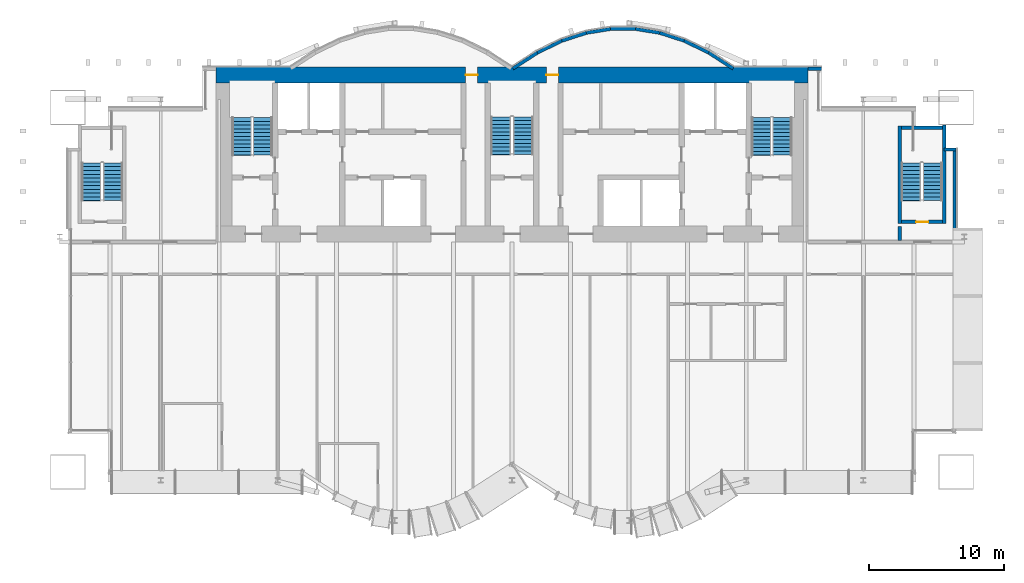
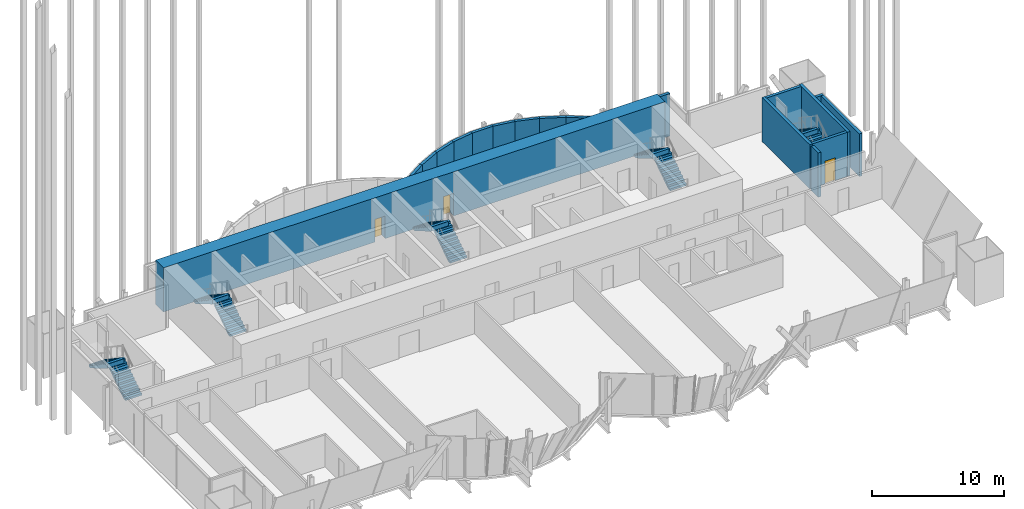
# One storey, part 26 of 29: 18 walls, 10 stair flights, 3 doors, 3 openings, 5 elements without a shape of their own.
"""IFC4 building model written with IfcOpenShell, lengths in metres."""

from ifc_helpers import new_model, si_unit, direction, frame, frame_2d, origin, place, context, subcontext, project, spatial, polyline, rectangle, outline, extrude, material, layer, layer_set, layer_usage, type_object, element, fill, aggregate, save


model = new_model("IFC4")

# Units and contexts
model_context = context("Model", 3, precision=1e-05, world=origin(), true_north=direction((0.0, 1.0)))
body_context = subcontext(model_context, "Body", "Model", "MODEL_VIEW")
ifc_project = project(units=[si_unit("LENGTHUNIT", "METRE"), si_unit("AREAUNIT", "SQUARE_METRE"), si_unit("VOLUMEUNIT", "CUBIC_METRE"), si_unit("PLANEANGLEUNIT", "RADIAN"), si_unit("MASSUNIT", "GRAM", prefix="KILO")], contexts=[model_context])

# Site, building, storey
site_placement = place(None, origin())
site = spatial("IfcSite", under=ifc_project, at=site_placement, CompositionType="ELEMENT")
building_placement = place(site_placement, origin())
building = spatial("IfcBuilding", under=site, at=building_placement, Name="Bicima Exchange Tower", CompositionType="ELEMENT")
storey_placement = place(building_placement, frame((0.0, 0.0, 190.89990234375)))
storey = spatial("IfcBuildingStorey", under=building, at=storey_placement, Name="L42", CompositionType="ELEMENT", Elevation=190.89990234375)

# Wall, openings, doors
ifc_material_1 = material(Name="Concrete C50/60", Category="concrete")
ifc_layer_1 = layer(ifc_material_1, 1.199951171875)
ifc_layer_set_1 = layer_set([ifc_layer_1], Name="Concrete C50/60")
wall_type_1 = type_object("IfcWallType", Name="RC core wall 1200 C50/60", PredefinedType="SHEAR", material=ifc_layer_set_1)
wall_1_placement = place(storey_placement, frame((-22.0, -0.60009765625, 0.0), z_axis=(0.0, 0.0, 1.0), x_axis=(1.0, 0.0, 0.0)))
wall_1 = element("IfcWall", 1, at=wall_1_placement, inside=storey, type_object=wall_type_1, Name="Core wall north", PredefinedType="SHEAR", context=body_context, shape_type="SweptSolid", body=[
    extrude(rectangle(XDim=44.0, YDim=1.199951171875, at=frame_2d((22.0, 0.0))), origin(), (0.0, 0.0, 1.0), 4.10009765625),
])
opening_1_placement = place(wall_1_placement, frame((18.550048828125, 0.0, 0.0)))
opening_1 = element("IfcOpeningElement", 2, at=opening_1_placement, cuts=wall_1, Name="Opening L42-C17", PredefinedType="OPENING", context=body_context, shape_type="SweptSolid", body=[
    extrude(rectangle(XDim=0.89990234375, YDim=2.10009765625, at=frame_2d((0.449951171875, 1.050048828125))), frame((0.0, 0.61181640625, 0.0), z_axis=(0.0, -1.0, 0.0), x_axis=(1.0, 0.0, 0.0)), (0.0, 0.0, 1.0), 1.223876953125),
])
opening_2_placement = place(wall_1_placement, frame((24.550048828125, 0.0, 0.0)))
opening_2 = element("IfcOpeningElement", 3, at=opening_2_placement, cuts=wall_1, Name="Opening L42-C18", PredefinedType="OPENING", context=body_context, shape_type="SweptSolid", body=[
    extrude(rectangle(XDim=0.89990234375, YDim=2.10009765625, at=frame_2d((0.449951171875, 1.050048828125))), frame((0.0, 0.61181640625, 0.0), z_axis=(0.0, -1.0, 0.0), x_axis=(1.0, 0.0, 0.0)), (0.0, 0.0, 1.0), 1.223876953125),
])
ifc_material_2 = material(Name="Steel fire door leaf", Category="steel")
door_type_1 = type_object("IfcDoorType", Name="Door 900 swing FD30S", OperationType="SINGLE_SWING_LEFT", PredefinedType="DOOR", material=ifc_material_2)
door_1_placement = place(opening_1_placement, origin())
door_1 = element("IfcDoor", 4, at=door_1_placement, inside=storey, type_object=door_type_1, Name="Core door", OperationType="SINGLE_SWING_LEFT", OverallHeight=2.10009765625, OverallWidth=0.89990234375, PredefinedType="DOOR", context=body_context, shape_type="SweptSolid", body=[
    extrude(rectangle(XDim=0.89990234375, YDim=2.10009765625, at=frame_2d((0.449951171875, 1.050048828125))), frame((0.0, 0.02490234375, 0.0), z_axis=(0.0, -1.0, 0.0), x_axis=(1.0, 0.0, 0.0)), (0.0, 0.0, 1.0), 0.050048828125),
])
fill(opening_1, door_1)
door_2_placement = place(opening_2_placement, origin())
door_2 = element("IfcDoor", 5, at=door_2_placement, inside=storey, type_object=door_type_1, Name="Core door", OperationType="SINGLE_SWING_LEFT", OverallHeight=2.10009765625, OverallWidth=0.89990234375, PredefinedType="DOOR", context=body_context, shape_type="SweptSolid", body=[
    extrude(rectangle(XDim=0.89990234375, YDim=2.10009765625, at=frame_2d((0.449951171875, 1.050048828125))), frame((0.0, 0.02490234375, 0.0), z_axis=(0.0, -1.0, 0.0), x_axis=(1.0, 0.0, 0.0)), (0.0, 0.0, 1.0), 0.050048828125),
])
fill(opening_2, door_2)

# Walls
ifc_layer_2 = layer(ifc_material_1, 0.25)
ifc_layer_set_2 = layer_set([ifc_layer_2], Name="Concrete C50/60")
wall_type_2 = type_object("IfcWallType", Name="RC core wall 250 C50/60", PredefinedType="SHEAR", material=ifc_layer_set_2)
wall_2_placement = place(storey_placement, frame((28.800048828125, -12.89990234375, 0.0), z_axis=(0.0, 0.0, 1.0), x_axis=(0.0, 1.0, 0.0)))
element("IfcWall", 6, at=wall_2_placement, inside=storey, type_object=wall_type_2, Name="stair wall 32", PredefinedType="SHEAR", context=body_context, shape_type="SweptSolid", body=[
    extrude(rectangle(XDim=1.0498046875, YDim=0.25, at=frame_2d((0.52490234375, 0.0))), origin(), (0.0, 0.0, 1.0), 4.10009765625),
])
ifc_layer_3 = layer(ifc_material_1, 0.25)
ifc_layer_set_3 = layer_set([ifc_layer_3], Name="Concrete C50/60")
wall_type_3 = type_object("IfcWallType", Name="RC stair enclosure wall 250 C50/60", PredefinedType="SHEAR", material=ifc_layer_set_3)
wall_3_placement = place(storey_placement, frame((28.800048828125, -11.625, 0.0), z_axis=(0.0, 0.0, 1.0), x_axis=(0.0, 1.0, 0.0)))
element("IfcWall", 7, at=wall_3_placement, inside=storey, type_object=wall_type_3, Name="East end exit stair wall W", PredefinedType="SHEAR", context=body_context, shape_type="SweptSolid", body=[
    extrude(rectangle(XDim=7.25, YDim=0.25, at=frame_2d((3.625, 0.0))), origin(), (0.0, 0.0, 1.0), 4.10009765625),
])
wall_4_placement = place(storey_placement, frame((32.10009765625, -11.625, 0.0), z_axis=(0.0, 0.0, 1.0), x_axis=(0.0, 1.0, 0.0)))
element("IfcWall", 8, at=wall_4_placement, inside=storey, type_object=wall_type_3, Name="East end exit stair wall E", PredefinedType="SHEAR", context=body_context, shape_type="SweptSolid", body=[
    extrude(rectangle(XDim=7.324951171875, YDim=0.25, at=frame_2d((3.66259765625, 0.0))), origin(), (0.0, 0.0, 1.0), 4.10009765625),
])

# Wall, opening, door
wall_5_placement = place(storey_placement, frame((28.925048828125, -11.5, 0.0), z_axis=(0.0, 0.0, 1.0), x_axis=(1.0, 0.0, 0.0)))
wall_5 = element("IfcWall", 9, at=wall_5_placement, inside=storey, type_object=wall_type_3, Name="East end exit stair wall S", PredefinedType="SHEAR", context=body_context, shape_type="SweptSolid", body=[
    extrude(rectangle(XDim=3.050048828125, YDim=0.25, at=frame_2d((1.52490234375, 0.0))), origin(), (0.0, 0.0, 1.0), 4.10009765625),
])
opening_3_placement = place(wall_5_placement, frame((1.10009765625, 0.0, 0.0)))
opening_3 = element("IfcOpeningElement", 10, at=opening_3_placement, cuts=wall_5, Name="Opening L42-004", PredefinedType="OPENING", context=body_context, shape_type="SweptSolid", body=[
    extrude(rectangle(XDim=0.89990234375, YDim=2.10009765625, at=frame_2d((0.449951171875, 1.050048828125))), frame((0.0, 0.136962890625, 0.0), z_axis=(0.0, -1.0, 0.0), x_axis=(1.0, 0.0, 0.0)), (0.0, 0.0, 1.0), 0.27392578125),
])
door_type_2 = type_object("IfcDoorType", Name="Door 900 swing FD60S", OperationType="SINGLE_SWING_LEFT", PredefinedType="DOOR", material=ifc_material_2)
door_3_placement = place(opening_3_placement, origin())
door_3 = element("IfcDoor", 11, at=door_3_placement, inside=storey, type_object=door_type_2, Name="Door", OperationType="SINGLE_SWING_LEFT", OverallHeight=2.10009765625, OverallWidth=0.89990234375, PredefinedType="DOOR", context=body_context, shape_type="SweptSolid", body=[
    extrude(rectangle(XDim=0.89990234375, YDim=2.10009765625, at=frame_2d((0.449951171875, 1.050048828125))), frame((0.0, 0.02490234375, 0.0), z_axis=(0.0, -1.0, 0.0), x_axis=(1.0, 0.0, 0.0)), (0.0, 0.0, 1.0), 0.050048828125),
])
fill(opening_3, door_3)

# Walls
wall_6_placement = place(storey_placement, frame((28.925048828125, -4.5, 0.0), z_axis=(0.0, 0.0, 1.0), x_axis=(1.0, 0.0, 0.0)))
element("IfcWall", 12, at=wall_6_placement, inside=storey, type_object=wall_type_3, Name="East end exit stair wall N", PredefinedType="SHEAR", context=body_context, shape_type="SweptSolid", body=[
    extrude(rectangle(XDim=3.050048828125, YDim=0.25, at=frame_2d((1.52490234375, 0.0))), origin(), (0.0, 0.0, 1.0), 4.10009765625),
])
ifc_material_3 = material(Name="Concrete C40/50", Category="concrete")
ifc_layer_4 = layer(ifc_material_3, 0.25)
ifc_layer_set_4 = layer_set([ifc_layer_4], Name="Concrete C40/50")
ifc_layer_usage = layer_usage(ifc_layer_set_4, "AXIS2", "POSITIVE", -0.125)
wall_type_4 = type_object("IfcWallType", Name="Rear backup wall 250", PredefinedType="STANDARD", material=ifc_layer_set_4)
wall_7_placement = place(storey_placement, frame((32.875, -12.090087890625, 0.0), z_axis=(0.0, 0.0, 1.0), x_axis=(0.0, 1.0, 0.0)))
element("IfcWall", 13, at=wall_7_placement, inside=storey, type_object=wall_type_4, material=ifc_layer_usage, Name="Rear backup wall L42 2", PredefinedType="STANDARD", context=body_context, shape_type="SweptSolid", body=[
    extrude(rectangle(XDim=6.090087890625, YDim=0.25, at=frame_2d((3.044921875, 0.0))), origin(), (0.0, 0.0, 1.0), 3.9501953125),
])
wall_8_placement = place(storey_placement, frame((33.0, -6.125, 0.0), z_axis=(0.0, 0.0, 1.0), x_axis=(-1.0, 0.0, 0.0)))
element("IfcWall", 14, at=wall_8_placement, inside=storey, type_object=wall_type_4, material=ifc_layer_usage, Name="Rear backup wall L42 3", PredefinedType="STANDARD", context=body_context, shape_type="SweptSolid", body=[
    extrude(rectangle(XDim=0.889892578125, YDim=0.25, at=frame_2d((0.44482421875, 0.0))), origin(), (0.0, 0.0, 1.0), 3.9501953125),
])
wall_9_placement = place(storey_placement, frame((23.0, -0.125, 0.0), z_axis=(0.0, 0.0, 1.0), x_axis=(-1.0, 0.0, 0.0)))
element("IfcWall", 15, at=wall_9_placement, inside=storey, type_object=wall_type_4, material=ifc_layer_usage, Name="Rear backup wall L42 7", PredefinedType="STANDARD", context=body_context, shape_type="SweptSolid", body=[
    extrude(rectangle(XDim=1.0, YDim=0.25, at=frame_2d((0.5, 0.0))), origin(), (0.0, 0.0, 1.0), 3.9501953125),
])
wall_10_placement = place(storey_placement, frame((16.43212890625, -0.10498046875, 0.0), z_axis=(0.0, 0.0, 1.0), x_axis=(-0.83981312244, 0.542875602121, 0.0)))
element("IfcWall", 16, at=wall_10_placement, inside=storey, type_object=wall_type_4, material=ifc_layer_usage, Name="Rear backup wall L42 8", PredefinedType="STANDARD", context=body_context, shape_type="SweptSolid", body=[
    extrude(rectangle(XDim=2.182861328125, YDim=0.25, at=frame_2d((1.09130859375, 0.0))), origin(), (0.0, 0.0, 1.0), 3.9501953125),
])
wall_11_placement = place(storey_placement, frame((14.6123046875, 1.07275390625, 0.0), z_axis=(0.0, 0.0, 1.0), x_axis=(-0.89982408427, 0.436252928206, 0.0)))
element("IfcWall", 17, at=wall_11_placement, inside=storey, type_object=wall_type_4, material=ifc_layer_usage, Name="Rear backup wall L42 9", PredefinedType="STANDARD", context=body_context, shape_type="SweptSolid", body=[
    extrude(rectangle(XDim=2.03759765625, YDim=0.25, at=frame_2d((1.018798828125, 0.0))), origin(), (0.0, 0.0, 1.0), 3.9501953125),
])
wall_12_placement = place(storey_placement, frame((12.794921875, 1.955078125, 0.0), z_axis=(0.0, 0.0, 1.0), x_axis=(-0.951495806175, 0.307661714928, 0.0)))
element("IfcWall", 18, at=wall_12_placement, inside=storey, type_object=wall_type_4, material=ifc_layer_usage, Name="Rear backup wall L42 10", PredefinedType="STANDARD", context=body_context, shape_type="SweptSolid", body=[
    extrude(rectangle(XDim=1.9267578125, YDim=0.25, at=frame_2d((0.96337890625, 0.0))), origin(), (0.0, 0.0, 1.0), 3.9501953125),
])
wall_13_placement = place(storey_placement, frame((10.97998046875, 2.543212890625, 0.0), z_axis=(0.0, 0.0, 1.0), x_axis=(-0.987181718931, 0.159600293885, 0.0)))
element("IfcWall", 19, at=wall_13_placement, inside=storey, type_object=wall_type_4, material=ifc_layer_usage, Name="Rear backup wall L42 11", PredefinedType="STANDARD", context=body_context, shape_type="SweptSolid", body=[
    extrude(rectangle(XDim=1.857177734375, YDim=0.25, at=frame_2d((0.9287109375, 0.0))), origin(), (0.0, 0.0, 1.0), 3.9501953125),
])
wall_14_placement = place(storey_placement, frame((9.166748046875, 2.837890625, 0.0), z_axis=(0.0, 0.0, 1.0), x_axis=(-1.0, 0.0, 0.0)))
element("IfcWall", 20, at=wall_14_placement, inside=storey, type_object=wall_type_4, material=ifc_layer_usage, Name="Rear backup wall L42 12", PredefinedType="STANDARD", context=body_context, shape_type="SweptSolid", body=[
    extrude(rectangle(XDim=1.83349609375, YDim=0.25, at=frame_2d((0.916748046875, 0.0))), origin(), (0.0, 0.0, 1.0), 3.9501953125),
])
wall_15_placement = place(storey_placement, frame((7.353271484375, 2.839599609375, 0.0), z_axis=(0.0, 0.0, 1.0), x_axis=(-0.987181718931, -0.159600293885, 0.0)))
element("IfcWall", 21, at=wall_15_placement, inside=storey, type_object=wall_type_4, material=ifc_layer_usage, Name="Rear backup wall L42 13", PredefinedType="STANDARD", context=body_context, shape_type="SweptSolid", body=[
    extrude(rectangle(XDim=1.857177734375, YDim=0.25, at=frame_2d((0.9287109375, 0.0))), origin(), (0.0, 0.0, 1.0), 3.9501953125),
])
wall_16_placement = place(storey_placement, frame((5.538330078125, 2.5478515625, 0.0), z_axis=(0.0, 0.0, 1.0), x_axis=(-0.951495806175, -0.307661714928, 0.0)))
element("IfcWall", 22, at=wall_16_placement, inside=storey, type_object=wall_type_4, material=ifc_layer_usage, Name="Rear backup wall L42 14", PredefinedType="STANDARD", context=body_context, shape_type="SweptSolid", body=[
    extrude(rectangle(XDim=1.9267578125, YDim=0.25, at=frame_2d((0.96337890625, 0.0))), origin(), (0.0, 0.0, 1.0), 3.9501953125),
])
wall_17_placement = place(storey_placement, frame((3.72119140625, 1.961669921875, 0.0), z_axis=(0.0, 0.0, 1.0), x_axis=(-0.89982408427, -0.436252928206, 0.0)))
element("IfcWall", 23, at=wall_17_placement, inside=storey, type_object=wall_type_4, material=ifc_layer_usage, Name="Rear backup wall L42 15", PredefinedType="STANDARD", context=body_context, shape_type="SweptSolid", body=[
    extrude(rectangle(XDim=2.03759765625, YDim=0.25, at=frame_2d((1.018798828125, 0.0))), origin(), (0.0, 0.0, 1.0), 3.9501953125),
])
wall_18_placement = place(storey_placement, frame((1.901123046875, 1.080078125, 0.0), z_axis=(0.0, 0.0, 1.0), x_axis=(-0.83981312244, -0.542875602121, 0.0)))
element("IfcWall", 24, at=wall_18_placement, inside=storey, type_object=wall_type_4, material=ifc_layer_usage, Name="Rear backup wall L42 16", PredefinedType="STANDARD", context=body_context, shape_type="SweptSolid", body=[
    extrude(rectangle(XDim=2.182861328125, YDim=0.25, at=frame_2d((1.09130859375, 0.0))), origin(), (0.0, 0.0, 1.0), 3.9501953125),
])

# Stair, stair flights
stair_type_1 = type_object("IfcStairType", Name="Exit stair", PredefinedType="HALF_TURN_STAIR", material=ifc_material_1)
stair_1_placement = place(storey_placement, origin())
stair_1 = element("IfcStair", 25, at=stair_1_placement, inside=storey, type_object=stair_type_1, Name="L42 West exit stair", PredefinedType="HALF_TURN_STAIR")
stair_flight_type_1 = type_object("IfcStairFlightType", Name="Stair flight RC", PredefinedType="STRAIGHT", material=ifc_material_1)
stair_flight_1_placement = place(storey_placement, frame((-18.52490234375, -6.550048828125, 0.0), z_axis=(0.0, 0.0, 1.0), x_axis=(0.0, 1.0, 0.0)))
stair_flight_1 = element("IfcStairFlight", 26, at=stair_flight_1_placement, type_object=stair_flight_type_1, Name="ST-W flight 1", NumberOfRisers=11, NumberOfTreads=10, PredefinedType="STRAIGHT", RiserHeight=0.186363636, TreadLength=0.28, context=body_context, shape_type="SweptSolid", body=[
    extrude(outline(polyline([(0.0, 0.0), (0.0, 0.186279296875), (0.280029296875, 0.186279296875), (0.280029296875, 0.372802734375), (0.56005859375, 0.372802734375), (0.56005859375, 0.55908203125), (0.840087890625, 0.55908203125), (0.840087890625, 0.745361328125), (1.1201171875, 0.745361328125), (1.1201171875, 0.931884765625), (1.39990234375, 0.931884765625), (1.39990234375, 1.1181640625), (1.679931640625, 1.1181640625), (1.679931640625, 1.304443359375), (1.9599609375, 1.304443359375), (1.9599609375, 1.490966796875), (2.239990234375, 1.490966796875), (2.239990234375, 1.67724609375), (2.52001953125, 1.67724609375), (2.52001953125, 1.863525390625), (2.800048828125, 1.863525390625), (2.800048828125, 2.050048828125), (2.800048828125, 1.68359375), (0.2705078125, 0.0), (0.0, 0.0)])), frame((0.0, 0.72509765625, 0.0), z_axis=(0.0, -1.0, 0.0), x_axis=(1.0, 0.0, 0.0)), (0.0, 0.0, 1.0), 1.449951171875),
])
stair_flight_2_placement = place(storey_placement, frame((-20.074951171875, -3.75, 2.050048828125), z_axis=(0.0, 0.0, 1.0), x_axis=(0.0, -1.0, 0.0)))
stair_flight_2 = element("IfcStairFlight", 27, at=stair_flight_2_placement, type_object=stair_flight_type_1, Name="ST-W flight 2", NumberOfRisers=11, NumberOfTreads=10, PredefinedType="STRAIGHT", RiserHeight=0.186363636, TreadLength=0.28, context=body_context, shape_type="SweptSolid", body=[
    extrude(outline(polyline([(0.0, 0.0), (0.0, 0.186279296875), (0.280029296875, 0.186279296875), (0.280029296875, 0.372802734375), (0.56005859375, 0.372802734375), (0.56005859375, 0.55908203125), (0.840087890625, 0.55908203125), (0.840087890625, 0.745361328125), (1.1201171875, 0.745361328125), (1.1201171875, 0.931884765625), (1.39990234375, 0.931884765625), (1.39990234375, 1.1181640625), (1.679931640625, 1.1181640625), (1.679931640625, 1.304443359375), (1.9599609375, 1.304443359375), (1.9599609375, 1.490966796875), (2.239990234375, 1.490966796875), (2.239990234375, 1.67724609375), (2.52001953125, 1.67724609375), (2.52001953125, 1.863525390625), (2.800048828125, 1.863525390625), (2.800048828125, 1.904052734375), (2.81494140625, 1.904052734375), (2.81494140625, 1.507080078125), (0.2705078125, 0.0), (0.0, 0.0)])), frame((0.0, 0.72509765625, 0.0), z_axis=(0.0, -1.0, 0.0), x_axis=(1.0, 0.0, 0.0)), (0.0, 0.0, 1.0), 1.449951171875),
])
aggregate(stair_1, [stair_flight_1, stair_flight_2])

stair_2_placement = place(storey_placement, origin())
stair_2 = element("IfcStair", 28, at=stair_2_placement, inside=storey, type_object=stair_type_1, Name="L42 East exit stair", PredefinedType="HALF_TURN_STAIR")
stair_flight_3_placement = place(storey_placement, frame((20.074951171875, -6.550048828125, 0.0), z_axis=(0.0, 0.0, 1.0), x_axis=(0.0, 1.0, 0.0)))
stair_flight_3 = element("IfcStairFlight", 29, at=stair_flight_3_placement, type_object=stair_flight_type_1, Name="ST-E flight 1", NumberOfRisers=11, NumberOfTreads=10, PredefinedType="STRAIGHT", RiserHeight=0.186363636, TreadLength=0.28, context=body_context, shape_type="SweptSolid", body=[
    extrude(outline(polyline([(0.0, 0.0), (0.0, 0.186279296875), (0.280029296875, 0.186279296875), (0.280029296875, 0.372802734375), (0.56005859375, 0.372802734375), (0.56005859375, 0.55908203125), (0.840087890625, 0.55908203125), (0.840087890625, 0.745361328125), (1.1201171875, 0.745361328125), (1.1201171875, 0.931884765625), (1.39990234375, 0.931884765625), (1.39990234375, 1.1181640625), (1.679931640625, 1.1181640625), (1.679931640625, 1.304443359375), (1.9599609375, 1.304443359375), (1.9599609375, 1.490966796875), (2.239990234375, 1.490966796875), (2.239990234375, 1.67724609375), (2.52001953125, 1.67724609375), (2.52001953125, 1.863525390625), (2.800048828125, 1.863525390625), (2.800048828125, 2.050048828125), (2.800048828125, 1.68359375), (0.2705078125, 0.0), (0.0, 0.0)])), frame((0.0, 0.72509765625, 0.0), z_axis=(0.0, -1.0, 0.0), x_axis=(1.0, 0.0, 0.0)), (0.0, 0.0, 1.0), 1.449951171875),
])
stair_flight_4_placement = place(storey_placement, frame((18.52490234375, -3.75, 2.050048828125), z_axis=(0.0, 0.0, 1.0), x_axis=(0.0, -1.0, 0.0)))
stair_flight_4 = element("IfcStairFlight", 30, at=stair_flight_4_placement, type_object=stair_flight_type_1, Name="ST-E flight 2", NumberOfRisers=11, NumberOfTreads=10, PredefinedType="STRAIGHT", RiserHeight=0.186363636, TreadLength=0.28, context=body_context, shape_type="SweptSolid", body=[
    extrude(outline(polyline([(0.0, 0.0), (0.0, 0.186279296875), (0.280029296875, 0.186279296875), (0.280029296875, 0.372802734375), (0.56005859375, 0.372802734375), (0.56005859375, 0.55908203125), (0.840087890625, 0.55908203125), (0.840087890625, 0.745361328125), (1.1201171875, 0.745361328125), (1.1201171875, 0.931884765625), (1.39990234375, 0.931884765625), (1.39990234375, 1.1181640625), (1.679931640625, 1.1181640625), (1.679931640625, 1.304443359375), (1.9599609375, 1.304443359375), (1.9599609375, 1.490966796875), (2.239990234375, 1.490966796875), (2.239990234375, 1.67724609375), (2.52001953125, 1.67724609375), (2.52001953125, 1.863525390625), (2.800048828125, 1.863525390625), (2.800048828125, 1.904052734375), (2.81494140625, 1.904052734375), (2.81494140625, 1.507080078125), (0.2705078125, 0.0), (0.0, 0.0)])), frame((0.0, 0.72509765625, 0.0), z_axis=(0.0, -1.0, 0.0), x_axis=(1.0, 0.0, 0.0)), (0.0, 0.0, 1.0), 1.449951171875),
])
aggregate(stair_2, [stair_flight_3, stair_flight_4])

stair_3_placement = place(storey_placement, origin())
stair_3 = element("IfcStair", 31, at=stair_3_placement, inside=storey, type_object=stair_type_1, Name="L42 West end exit stair", PredefinedType="HALF_TURN_STAIR")
stair_flight_5_placement = place(storey_placement, frame((-29.64990234375, -9.925048828125, 0.0), z_axis=(0.0, 0.0, 1.0), x_axis=(0.0, 1.0, 0.0)))
stair_flight_5 = element("IfcStairFlight", 32, at=stair_flight_5_placement, type_object=stair_flight_type_1, Name="ST-WW flight 1", NumberOfRisers=11, NumberOfTreads=10, PredefinedType="STRAIGHT", RiserHeight=0.186363636, TreadLength=0.28, context=body_context, shape_type="SweptSolid", body=[
    extrude(outline(polyline([(0.0, 0.0), (0.0, 0.186279296875), (0.280029296875, 0.186279296875), (0.280029296875, 0.372802734375), (0.56005859375, 0.372802734375), (0.56005859375, 0.55908203125), (0.840087890625, 0.55908203125), (0.840087890625, 0.745361328125), (1.1201171875, 0.745361328125), (1.1201171875, 0.931884765625), (1.39990234375, 0.931884765625), (1.39990234375, 1.1181640625), (1.679931640625, 1.1181640625), (1.679931640625, 1.304443359375), (1.9599609375, 1.304443359375), (1.9599609375, 1.490966796875), (2.239990234375, 1.490966796875), (2.239990234375, 1.67724609375), (2.52001953125, 1.67724609375), (2.52001953125, 1.863525390625), (2.800048828125, 1.863525390625), (2.800048828125, 2.050048828125), (2.800048828125, 1.68359375), (0.2705078125, 0.0), (0.0, 0.0)])), frame((0.0, 0.72509765625, 0.0), z_axis=(0.0, -1.0, 0.0), x_axis=(1.0, 0.0, 0.0)), (0.0, 0.0, 1.0), 1.449951171875),
])
stair_flight_6_placement = place(storey_placement, frame((-31.25, -7.125, 2.050048828125), z_axis=(0.0, 0.0, 1.0), x_axis=(0.0, -1.0, 0.0)))
stair_flight_6 = element("IfcStairFlight", 33, at=stair_flight_6_placement, type_object=stair_flight_type_1, Name="ST-WW flight 2", NumberOfRisers=11, NumberOfTreads=10, PredefinedType="STRAIGHT", RiserHeight=0.186363636, TreadLength=0.28, context=body_context, shape_type="SweptSolid", body=[
    extrude(outline(polyline([(0.0, 0.0), (0.0, 0.186279296875), (0.280029296875, 0.186279296875), (0.280029296875, 0.372802734375), (0.56005859375, 0.372802734375), (0.56005859375, 0.55908203125), (0.840087890625, 0.55908203125), (0.840087890625, 0.745361328125), (1.1201171875, 0.745361328125), (1.1201171875, 0.931884765625), (1.39990234375, 0.931884765625), (1.39990234375, 1.1181640625), (1.679931640625, 1.1181640625), (1.679931640625, 1.304443359375), (1.9599609375, 1.304443359375), (1.9599609375, 1.490966796875), (2.239990234375, 1.490966796875), (2.239990234375, 1.67724609375), (2.52001953125, 1.67724609375), (2.52001953125, 1.863525390625), (2.800048828125, 1.863525390625), (2.800048828125, 1.904052734375), (2.81494140625, 1.904052734375), (2.81494140625, 1.507080078125), (0.2705078125, 0.0), (0.0, 0.0)])), frame((0.0, 0.72509765625, 0.0), z_axis=(0.0, -1.0, 0.0), x_axis=(1.0, 0.0, 0.0)), (0.0, 0.0, 1.0), 1.449951171875),
])
aggregate(stair_3, [stair_flight_5, stair_flight_6])

stair_4_placement = place(storey_placement, origin())
stair_4 = element("IfcStair", 34, at=stair_4_placement, inside=storey, type_object=stair_type_1, Name="L42 East end exit stair", PredefinedType="HALF_TURN_STAIR")
stair_flight_7_placement = place(storey_placement, frame((31.25, -9.925048828125, 0.0), z_axis=(0.0, 0.0, 1.0), x_axis=(0.0, 1.0, 0.0)))
stair_flight_7 = element("IfcStairFlight", 35, at=stair_flight_7_placement, type_object=stair_flight_type_1, Name="ST-EE flight 1", NumberOfRisers=11, NumberOfTreads=10, PredefinedType="STRAIGHT", RiserHeight=0.186363636, TreadLength=0.28, context=body_context, shape_type="SweptSolid", body=[
    extrude(outline(polyline([(0.0, 0.0), (0.0, 0.186279296875), (0.280029296875, 0.186279296875), (0.280029296875, 0.372802734375), (0.56005859375, 0.372802734375), (0.56005859375, 0.55908203125), (0.840087890625, 0.55908203125), (0.840087890625, 0.745361328125), (1.1201171875, 0.745361328125), (1.1201171875, 0.931884765625), (1.39990234375, 0.931884765625), (1.39990234375, 1.1181640625), (1.679931640625, 1.1181640625), (1.679931640625, 1.304443359375), (1.9599609375, 1.304443359375), (1.9599609375, 1.490966796875), (2.239990234375, 1.490966796875), (2.239990234375, 1.67724609375), (2.52001953125, 1.67724609375), (2.52001953125, 1.863525390625), (2.800048828125, 1.863525390625), (2.800048828125, 2.050048828125), (2.800048828125, 1.68359375), (0.2705078125, 0.0), (0.0, 0.0)])), frame((0.0, 0.72509765625, 0.0), z_axis=(0.0, -1.0, 0.0), x_axis=(1.0, 0.0, 0.0)), (0.0, 0.0, 1.0), 1.449951171875),
])
stair_flight_8_placement = place(storey_placement, frame((29.64990234375, -7.125, 2.050048828125), z_axis=(0.0, 0.0, 1.0), x_axis=(0.0, -1.0, 0.0)))
stair_flight_8 = element("IfcStairFlight", 36, at=stair_flight_8_placement, type_object=stair_flight_type_1, Name="ST-EE flight 2", NumberOfRisers=11, NumberOfTreads=10, PredefinedType="STRAIGHT", RiserHeight=0.186363636, TreadLength=0.28, context=body_context, shape_type="SweptSolid", body=[
    extrude(outline(polyline([(0.0, 0.0), (0.0, 0.186279296875), (0.280029296875, 0.186279296875), (0.280029296875, 0.372802734375), (0.56005859375, 0.372802734375), (0.56005859375, 0.55908203125), (0.840087890625, 0.55908203125), (0.840087890625, 0.745361328125), (1.1201171875, 0.745361328125), (1.1201171875, 0.931884765625), (1.39990234375, 0.931884765625), (1.39990234375, 1.1181640625), (1.679931640625, 1.1181640625), (1.679931640625, 1.304443359375), (1.9599609375, 1.304443359375), (1.9599609375, 1.490966796875), (2.239990234375, 1.490966796875), (2.239990234375, 1.67724609375), (2.52001953125, 1.67724609375), (2.52001953125, 1.863525390625), (2.800048828125, 1.863525390625), (2.800048828125, 1.904052734375), (2.81494140625, 1.904052734375), (2.81494140625, 1.507080078125), (0.2705078125, 0.0), (0.0, 0.0)])), frame((0.0, 0.72509765625, 0.0), z_axis=(0.0, -1.0, 0.0), x_axis=(1.0, 0.0, 0.0)), (0.0, 0.0, 1.0), 1.449951171875),
])
aggregate(stair_4, [stair_flight_7, stair_flight_8])

stair_type_2 = type_object("IfcStairType", Name="Exit stair 1500", PredefinedType="HALF_TURN_STAIR", material=ifc_material_1)
stair_5_placement = place(storey_placement, origin())
stair_5 = element("IfcStair", 37, at=stair_5_placement, inside=storey, type_object=stair_type_2, Name="L42 Central exit stair", PredefinedType="HALF_TURN_STAIR")
stair_flight_type_2 = type_object("IfcStairFlightType", Name="Stair flight RC 1500", PredefinedType="STRAIGHT", material=ifc_material_1)
stair_flight_9_placement = place(storey_placement, frame((0.824951171875, -6.5, 0.0), z_axis=(0.0, 0.0, 1.0), x_axis=(0.0, 1.0, 0.0)))
stair_flight_9 = element("IfcStairFlight", 38, at=stair_flight_9_placement, type_object=stair_flight_type_2, Name="ST-C flight 1", NumberOfRisers=11, NumberOfTreads=10, PredefinedType="STRAIGHT", RiserHeight=0.186363636, TreadLength=0.28, context=body_context, shape_type="SweptSolid", body=[
    extrude(outline(polyline([(0.0, 0.0), (0.0, 0.186279296875), (0.280029296875, 0.186279296875), (0.280029296875, 0.372802734375), (0.56005859375, 0.372802734375), (0.56005859375, 0.55908203125), (0.840087890625, 0.55908203125), (0.840087890625, 0.745361328125), (1.1201171875, 0.745361328125), (1.1201171875, 0.931884765625), (1.39990234375, 0.931884765625), (1.39990234375, 1.1181640625), (1.679931640625, 1.1181640625), (1.679931640625, 1.304443359375), (1.9599609375, 1.304443359375), (1.9599609375, 1.490966796875), (2.239990234375, 1.490966796875), (2.239990234375, 1.67724609375), (2.52001953125, 1.67724609375), (2.52001953125, 1.863525390625), (2.800048828125, 1.863525390625), (2.800048828125, 2.050048828125), (2.800048828125, 1.68359375), (0.2705078125, 0.0), (0.0, 0.0)])), frame((0.0, 0.75, 0.0), z_axis=(0.0, -1.0, 0.0), x_axis=(1.0, 0.0, 0.0)), (0.0, 0.0, 1.0), 1.5),
])
stair_flight_10_placement = place(storey_placement, frame((-0.824951171875, -3.699951171875, 2.050048828125), z_axis=(0.0, 0.0, 1.0), x_axis=(0.0, -1.0, 0.0)))
stair_flight_10 = element("IfcStairFlight", 39, at=stair_flight_10_placement, type_object=stair_flight_type_2, Name="ST-C flight 2", NumberOfRisers=11, NumberOfTreads=10, PredefinedType="STRAIGHT", RiserHeight=0.186363636, TreadLength=0.28, context=body_context, shape_type="SweptSolid", body=[
    extrude(outline(polyline([(0.0, 0.0), (0.0, 0.186279296875), (0.280029296875, 0.186279296875), (0.280029296875, 0.372802734375), (0.56005859375, 0.372802734375), (0.56005859375, 0.55908203125), (0.840087890625, 0.55908203125), (0.840087890625, 0.745361328125), (1.1201171875, 0.745361328125), (1.1201171875, 0.931884765625), (1.39990234375, 0.931884765625), (1.39990234375, 1.1181640625), (1.679931640625, 1.1181640625), (1.679931640625, 1.304443359375), (1.9599609375, 1.304443359375), (1.9599609375, 1.490966796875), (2.239990234375, 1.490966796875), (2.239990234375, 1.67724609375), (2.52001953125, 1.67724609375), (2.52001953125, 1.863525390625), (2.800048828125, 1.863525390625), (2.800048828125, 1.904052734375), (2.81494140625, 1.904052734375), (2.81494140625, 1.507080078125), (0.2705078125, 0.0), (0.0, 0.0)])), frame((0.0, 0.75, 0.0), z_axis=(0.0, -1.0, 0.0), x_axis=(1.0, 0.0, 0.0)), (0.0, 0.0, 1.0), 1.5),
])
aggregate(stair_5, [stair_flight_9, stair_flight_10])

save(model, "model.ifc")
